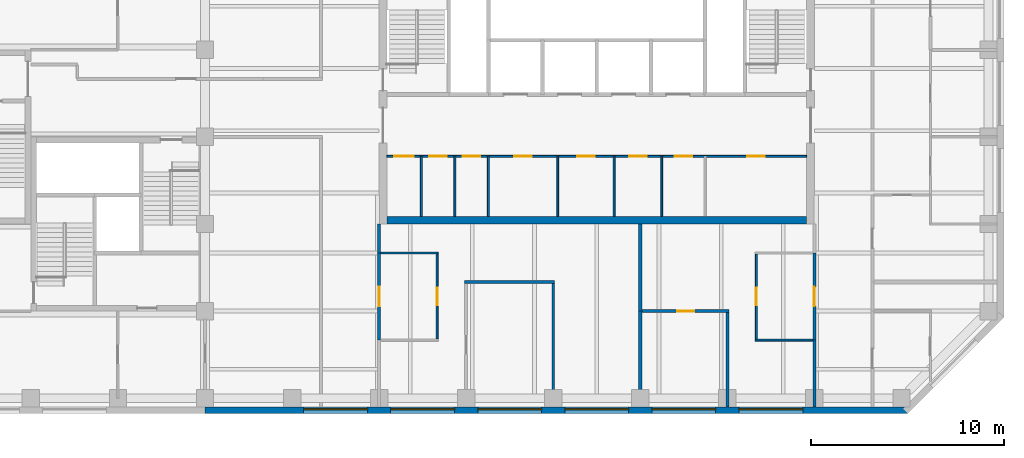
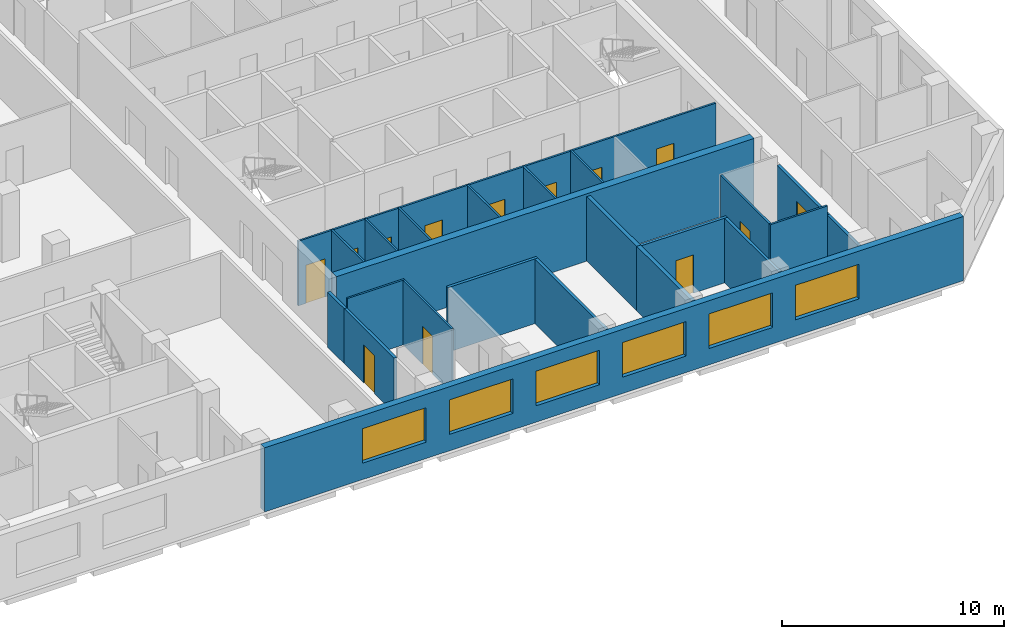
# One storey, part 4 of 9: 23 walls, 13 doors, 6 windows, 19 openings.
"""IFC4 building model written with IfcOpenShell, lengths in metres."""

from ifc_helpers import new_model, si_unit, direction, frame, frame_2d, origin, place, context, subcontext, project, spatial, rectangle, extrude, material, layer, layer_set, constituent, constituent_set, type_object, element, fill, save


model = new_model("IFC4")

# Units and contexts
model_context = context("Model", 3, precision=1e-05, world=origin(), true_north=direction((0.0, 1.0)))
body_context = subcontext(model_context, "Body", "Model", "MODEL_VIEW")
ifc_project = project(units=[si_unit("LENGTHUNIT", "METRE"), si_unit("AREAUNIT", "SQUARE_METRE"), si_unit("VOLUMEUNIT", "CUBIC_METRE"), si_unit("PLANEANGLEUNIT", "RADIAN"), si_unit("MASSUNIT", "GRAM", prefix="KILO")], contexts=[model_context])

# Site, building, storey
site_placement = place(None, origin())
site = spatial("IfcSite", under=ifc_project, at=site_placement, CompositionType="ELEMENT")
building_placement = place(site_placement, origin())
building = spatial("IfcBuilding", under=site, at=building_placement, Name="Quoin Convention Tower", CompositionType="ELEMENT")
storey_placement = place(building_placement, frame((0.0, 0.0, 166.199951171875)))
storey = spatial("IfcBuildingStorey", under=building, at=storey_placement, Name="L43", CompositionType="ELEMENT", Elevation=166.199951171875)

# Wall, opening, door
ifc_material_1 = material(Name="Plasterboard")
ifc_layer_1 = layer(ifc_material_1, 0.012451171875, Name="Finish")
ifc_material_2 = material(Name="Steel stud framing", Category="steel")
ifc_layer_2 = layer(ifc_material_2, 0.125, Name="Structure")
ifc_layer_3 = layer(ifc_material_1, 0.012451171875, Name="Finish")
ifc_layer_set_1 = layer_set([ifc_layer_1, ifc_layer_2, ifc_layer_3], Name="Steel stud framing")
wall_type_1 = type_object("IfcWallType", Name="Acoustic partition 150", PredefinedType="PARTITIONING", material=ifc_layer_set_1)
wall_1_placement = place(storey_placement, frame((58.60009765625, 45.0, 0.0), z_axis=(0.0, 0.0, 1.0), x_axis=(1.0, 0.0, 0.0)))
wall_1 = element("IfcWall", 1, at=wall_1_placement, inside=storey, type_object=wall_type_1, Name="pw-L43-005", PredefinedType="PARTITIONING", context=body_context, shape_type="SweptSolid", body=[
    extrude(rectangle(XDim=4.474853515625, YDim=0.14990234375, at=frame_2d((2.2373046875, 0.0))), origin(), (0.0, 0.0, 1.0), 3.550048828125),
])
opening_1_placement = place(wall_1_placement, frame((1.800048828125, 0.0, 0.0)))
opening_1 = element("IfcOpeningElement", 2, at=opening_1_placement, cuts=wall_1, Name="Opening DOH3-01", PredefinedType="OPENING", context=body_context, shape_type="SweptSolid", body=[
    extrude(rectangle(XDim=0.89990234375, YDim=2.10009765625, at=frame_2d((0.449951171875, 1.050048828125))), frame((0.0, 0.0849609375, 0.0), z_axis=(0.0, -1.0, 0.0), x_axis=(1.0, 0.0, 0.0)), (0.0, 0.0, 1.0), 0.169921875),
])
ifc_material_3 = material(Name="Steel door leaf", Category="steel")
door_type_1 = type_object("IfcDoorType", Name="Office door 900 x 2100", OperationType="SINGLE_SWING_RIGHT", PredefinedType="DOOR", material=ifc_material_3)
door_1_placement = place(opening_1_placement, origin())
door_1 = element("IfcDoor", 3, at=door_1_placement, inside=storey, type_object=door_type_1, Name="dr-L43-13", OperationType="SINGLE_SWING_RIGHT", OverallHeight=2.10009765625, OverallWidth=0.89990234375, PredefinedType="DOOR", context=body_context, shape_type="SweptSolid", body=[
    extrude(rectangle(XDim=0.89990234375, YDim=2.10009765625, at=frame_2d((0.449951171875, 1.050048828125))), frame((0.0, 0.02490234375, 0.0), z_axis=(0.0, -1.0, 0.0), x_axis=(1.0, 0.0, 0.0)), (0.0, 0.0, 1.0), 0.050048828125),
])
fill(opening_1, door_1)

# Walls
wall_2_placement = place(storey_placement, frame((49.425048828125, 46.5, 0.0), z_axis=(0.0, 0.0, 1.0), x_axis=(1.0, 0.0, 0.0)))
element("IfcWall", 4, at=wall_2_placement, inside=storey, type_object=wall_type_1, Name="pw-L43-008", PredefinedType="PARTITIONING", context=body_context, shape_type="SweptSolid", body=[
    extrude(rectangle(XDim=4.64990234375, YDim=0.14990234375, at=frame_2d((2.324951171875, 0.0))), origin(), (0.0, 0.0, 1.0), 3.550048828125),
])
wall_3_placement = place(storey_placement, frame((54.0, 40.050048828125, 0.0), z_axis=(0.0, 0.0, 1.0), x_axis=(0.0, 1.0, 0.0)))
element("IfcWall", 5, at=wall_3_placement, inside=storey, type_object=wall_type_1, Name="pw-L43-040", PredefinedType="PARTITIONING", context=body_context, shape_type="SweptSolid", body=[
    extrude(rectangle(XDim=6.375, YDim=0.14990234375, at=frame_2d((3.1875, 0.0))), origin(), (0.0, 0.0, 1.0), 3.550048828125),
])
wall_4_placement = place(storey_placement, frame((63.0, 40.050048828125, 0.0), z_axis=(0.0, 0.0, 1.0), x_axis=(0.0, 1.0, 0.0)))
element("IfcWall", 6, at=wall_4_placement, inside=storey, type_object=wall_type_1, Name="pw-L43-042", PredefinedType="PARTITIONING", context=body_context, shape_type="SweptSolid", body=[
    extrude(rectangle(XDim=4.875, YDim=0.14990234375, at=frame_2d((2.4375, 0.0))), origin(), (0.0, 0.0, 1.0), 3.550048828125),
])

# Wall, openings, windows
ifc_material_4 = material(Name="Brick masonry", Category="masonry")
ifc_layer_4 = layer(ifc_material_4, 0.35009765625)
ifc_layer_set_2 = layer_set([ifc_layer_4], Name="Brick masonry")
wall_type_2 = type_object("IfcWallType", Name="Brick facade wall", PredefinedType="STANDARD", material=ifc_layer_set_2)
wall_5_placement = place(storey_placement, frame((36.0, 39.875, 0.0), z_axis=(0.0, 0.0, 1.0), x_axis=(1.0, 0.0, 0.0)))
wall_5 = element("IfcWall", 7, at=wall_5_placement, inside=storey, type_object=wall_type_2, Name="fw-L43-36000_40500", PredefinedType="STANDARD", context=body_context, shape_type="SweptSolid", body=[
    extrude(rectangle(XDim=36.331298828125, YDim=0.35009765625, at=frame_2d((18.16552734375, 0.0))), origin(), (0.0, 0.0, 1.0), 3.525146484375),
])
opening_2_placement = place(wall_5_placement, frame((5.10009765625, 0.0, 0.89990234375)))
opening_2 = element("IfcOpeningElement", 8, at=opening_2_placement, cuts=wall_5, Name="Opening W-02", PredefinedType="OPENING", context=body_context, shape_type="SweptSolid", body=[
    extrude(rectangle(XDim=3.300048828125, YDim=1.89990234375, at=frame_2d((1.64990234375, 0.949951171875))), frame((0.0, 0.18505859375, 0.0), z_axis=(0.0, -1.0, 0.0), x_axis=(1.0, 0.0, 0.0)), (0.0, 0.0, 1.0), 0.3701171875),
])
opening_3_placement = place(wall_5_placement, frame((9.60009765625, 0.0, 0.89990234375)))
opening_3 = element("IfcOpeningElement", 9, at=opening_3_placement, cuts=wall_5, Name="Opening W-02", PredefinedType="OPENING", context=body_context, shape_type="SweptSolid", body=[
    extrude(rectangle(XDim=3.300048828125, YDim=1.89990234375, at=frame_2d((1.64990234375, 0.949951171875))), frame((0.0, 0.18505859375, 0.0), z_axis=(0.0, -1.0, 0.0), x_axis=(1.0, 0.0, 0.0)), (0.0, 0.0, 1.0), 0.3701171875),
])
opening_4_placement = place(wall_5_placement, frame((14.10009765625, 0.0, 0.89990234375)))
opening_4 = element("IfcOpeningElement", 10, at=opening_4_placement, cuts=wall_5, Name="Opening W-02", PredefinedType="OPENING", context=body_context, shape_type="SweptSolid", body=[
    extrude(rectangle(XDim=3.300048828125, YDim=1.89990234375, at=frame_2d((1.64990234375, 0.949951171875))), frame((0.0, 0.18505859375, 0.0), z_axis=(0.0, -1.0, 0.0), x_axis=(1.0, 0.0, 0.0)), (0.0, 0.0, 1.0), 0.3701171875),
])
opening_5_placement = place(wall_5_placement, frame((18.60009765625, 0.0, 0.89990234375)))
opening_5 = element("IfcOpeningElement", 11, at=opening_5_placement, cuts=wall_5, Name="Opening W-02", PredefinedType="OPENING", context=body_context, shape_type="SweptSolid", body=[
    extrude(rectangle(XDim=3.300048828125, YDim=1.89990234375, at=frame_2d((1.64990234375, 0.949951171875))), frame((0.0, 0.18505859375, 0.0), z_axis=(0.0, -1.0, 0.0), x_axis=(1.0, 0.0, 0.0)), (0.0, 0.0, 1.0), 0.3701171875),
])
opening_6_placement = place(wall_5_placement, frame((23.10009765625, 0.0, 0.89990234375)))
opening_6 = element("IfcOpeningElement", 12, at=opening_6_placement, cuts=wall_5, Name="Opening W-02", PredefinedType="OPENING", context=body_context, shape_type="SweptSolid", body=[
    extrude(rectangle(XDim=3.300048828125, YDim=1.89990234375, at=frame_2d((1.64990234375, 0.949951171875))), frame((0.0, 0.18505859375, 0.0), z_axis=(0.0, -1.0, 0.0), x_axis=(1.0, 0.0, 0.0)), (0.0, 0.0, 1.0), 0.3701171875),
])
opening_7_placement = place(wall_5_placement, frame((27.60009765625, 0.0, 0.89990234375)))
opening_7 = element("IfcOpeningElement", 13, at=opening_7_placement, cuts=wall_5, Name="Opening W-02", PredefinedType="OPENING", context=body_context, shape_type="SweptSolid", body=[
    extrude(rectangle(XDim=3.300048828125, YDim=1.89990234375, at=frame_2d((1.64990234375, 0.949951171875))), frame((0.0, 0.18505859375, 0.0), z_axis=(0.0, -1.0, 0.0), x_axis=(1.0, 0.0, 0.0)), (0.0, 0.0, 1.0), 0.3701171875),
])
ifc_material_5 = material(Name="Aluminium", Category="aluminium")
ifc_constituent_1 = constituent(ifc_material_5, Name="Frame")
ifc_material_6 = material(Name="Insulated glass", Category="glass")
ifc_constituent_2 = constituent(ifc_material_6, Name="Glazing")
ifc_constituent_set = constituent_set(constituents=[ifc_constituent_1, ifc_constituent_2], Name="Aluminium")
window_type = type_object("IfcWindowType", Name="Office window", PartitioningType="DOUBLE_PANEL_VERTICAL", PredefinedType="WINDOW", material=ifc_constituent_set)
window_1_placement = place(opening_2_placement, origin())
window_1 = element("IfcWindow", 14, at=window_1_placement, inside=storey, type_object=window_type, Name="win-L43-42750_39875", OverallHeight=1.89990234375, OverallWidth=3.300048828125, PartitioningType="SINGLE_PANEL", PredefinedType="WINDOW", context=body_context, shape_type="SweptSolid", body=[
    extrude(rectangle(XDim=3.300048828125, YDim=1.89990234375, at=frame_2d((1.64990234375, 0.949951171875))), frame((0.0, 0.0849609375, 0.0), z_axis=(0.0, -1.0, 0.0), x_axis=(1.0, 0.0, 0.0)), (0.0, 0.0, 1.0), 0.06005859375),
])
fill(opening_2, window_1)
window_2_placement = place(opening_3_placement, origin())
window_2 = element("IfcWindow", 15, at=window_2_placement, inside=storey, type_object=window_type, Name="win-L43-47250_39875", OverallHeight=1.89990234375, OverallWidth=3.300048828125, PartitioningType="SINGLE_PANEL", PredefinedType="WINDOW", context=body_context, shape_type="SweptSolid", body=[
    extrude(rectangle(XDim=3.300048828125, YDim=1.89990234375, at=frame_2d((1.64990234375, 0.949951171875))), frame((0.0, 0.0849609375, 0.0), z_axis=(0.0, -1.0, 0.0), x_axis=(1.0, 0.0, 0.0)), (0.0, 0.0, 1.0), 0.06005859375),
])
fill(opening_3, window_2)
window_3_placement = place(opening_4_placement, origin())
window_3 = element("IfcWindow", 16, at=window_3_placement, inside=storey, type_object=window_type, Name="win-L43-51750_39875", OverallHeight=1.89990234375, OverallWidth=3.300048828125, PartitioningType="SINGLE_PANEL", PredefinedType="WINDOW", context=body_context, shape_type="SweptSolid", body=[
    extrude(rectangle(XDim=3.300048828125, YDim=1.89990234375, at=frame_2d((1.64990234375, 0.949951171875))), frame((0.0, 0.0849609375, 0.0), z_axis=(0.0, -1.0, 0.0), x_axis=(1.0, 0.0, 0.0)), (0.0, 0.0, 1.0), 0.06005859375),
])
fill(opening_4, window_3)
window_4_placement = place(opening_5_placement, origin())
window_4 = element("IfcWindow", 17, at=window_4_placement, inside=storey, type_object=window_type, Name="win-L43-56250_39875", OverallHeight=1.89990234375, OverallWidth=3.300048828125, PartitioningType="SINGLE_PANEL", PredefinedType="WINDOW", context=body_context, shape_type="SweptSolid", body=[
    extrude(rectangle(XDim=3.300048828125, YDim=1.89990234375, at=frame_2d((1.64990234375, 0.949951171875))), frame((0.0, 0.0849609375, 0.0), z_axis=(0.0, -1.0, 0.0), x_axis=(1.0, 0.0, 0.0)), (0.0, 0.0, 1.0), 0.06005859375),
])
fill(opening_5, window_4)
window_5_placement = place(opening_6_placement, origin())
window_5 = element("IfcWindow", 18, at=window_5_placement, inside=storey, type_object=window_type, Name="win-L43-60750_39875", OverallHeight=1.89990234375, OverallWidth=3.300048828125, PartitioningType="SINGLE_PANEL", PredefinedType="WINDOW", context=body_context, shape_type="SweptSolid", body=[
    extrude(rectangle(XDim=3.300048828125, YDim=1.89990234375, at=frame_2d((1.64990234375, 0.949951171875))), frame((0.0, 0.0849609375, 0.0), z_axis=(0.0, -1.0, 0.0), x_axis=(1.0, 0.0, 0.0)), (0.0, 0.0, 1.0), 0.06005859375),
])
fill(opening_6, window_5)
window_6_placement = place(opening_7_placement, origin())
window_6 = element("IfcWindow", 19, at=window_6_placement, inside=storey, type_object=window_type, Name="win-L43-65250_39875", OverallHeight=1.89990234375, OverallWidth=3.300048828125, PartitioningType="SINGLE_PANEL", PredefinedType="WINDOW", context=body_context, shape_type="SweptSolid", body=[
    extrude(rectangle(XDim=3.300048828125, YDim=1.89990234375, at=frame_2d((1.64990234375, 0.949951171875))), frame((0.0, 0.0849609375, 0.0), z_axis=(0.0, -1.0, 0.0), x_axis=(1.0, 0.0, 0.0)), (0.0, 0.0, 1.0), 0.06005859375),
])
fill(opening_7, window_6)

# Wall, openings, doors
ifc_layer_5 = layer(ifc_material_1, 0.012451171875, Name="Finish")
ifc_layer_6 = layer(ifc_material_2, 0.074951171875, Name="Structure")
ifc_layer_7 = layer(ifc_material_1, 0.012451171875, Name="Finish")
ifc_layer_set_3 = layer_set([ifc_layer_5, ifc_layer_6, ifc_layer_7], Name="Steel stud framing")
wall_type_3 = type_object("IfcWallType", Name="Core partition wall", PredefinedType="PARTITIONING", material=ifc_layer_set_3)
wall_6_placement = place(storey_placement, frame((45.39990234375, 53.0, 0.0), z_axis=(0.0, 0.0, 1.0), x_axis=(1.0, 0.0, 0.0)))
wall_6 = element("IfcWall", 20, at=wall_6_placement, inside=storey, type_object=wall_type_3, Name="cr-C1-L43-h3500_400", PredefinedType="PARTITIONING", context=body_context, shape_type="SweptSolid", body=[
    extrude(rectangle(XDim=21.7001953125, YDim=0.10009765625, at=frame_2d((10.85009765625, 0.0))), origin(), (0.0, 0.0, 1.0), 3.550048828125),
])
opening_8_placement = place(wall_6_placement, frame((18.625, 0.0, 0.0)))
opening_8 = element("IfcOpeningElement", 21, at=opening_8_placement, cuts=wall_6, Name="Opening DCV3-30", PredefinedType="OPENING", context=body_context, shape_type="SweptSolid", body=[
    extrude(rectangle(XDim=0.89990234375, YDim=2.10009765625, at=frame_2d((0.449951171875, 1.050048828125))), frame((0.0, 0.06005859375, 0.0), z_axis=(0.0, -1.0, 0.0), x_axis=(1.0, 0.0, 0.0)), (0.0, 0.0, 1.0), 0.1201171875),
])
opening_9_placement = place(wall_6_placement, frame((0.392578125, 0.0, 0.0)))
opening_9 = element("IfcOpeningElement", 22, at=opening_9_placement, cuts=wall_6, Name="Opening DCV3-21", PredefinedType="OPENING", context=body_context, shape_type="SweptSolid", body=[
    extrude(rectangle(XDim=1.0, YDim=2.10009765625, at=frame_2d((0.5, 1.050048828125))), frame((0.0, 0.06005859375, 0.0), z_axis=(0.0, -1.0, 0.0), x_axis=(1.0, 0.0, 0.0)), (0.0, 0.0, 1.0), 0.1201171875),
])
opening_10_placement = place(wall_6_placement, frame((2.201416015625, 0.0, 0.0)))
opening_10 = element("IfcOpeningElement", 23, at=opening_10_placement, cuts=wall_6, Name="Opening DCV3-22", PredefinedType="OPENING", context=body_context, shape_type="SweptSolid", body=[
    extrude(rectangle(XDim=0.89990234375, YDim=2.10009765625, at=frame_2d((0.449951171875, 1.050048828125))), frame((0.0, 0.06005859375, 0.0), z_axis=(0.0, -1.0, 0.0), x_axis=(1.0, 0.0, 0.0)), (0.0, 0.0, 1.0), 0.1201171875),
])
opening_11_placement = place(wall_6_placement, frame((3.93359375, 0.0, 0.0)))
opening_11 = element("IfcOpeningElement", 24, at=opening_11_placement, cuts=wall_6, Name="Opening DCV3-23", PredefinedType="OPENING", context=body_context, shape_type="SweptSolid", body=[
    extrude(rectangle(XDim=0.89990234375, YDim=2.10009765625, at=frame_2d((0.449951171875, 1.050048828125))), frame((0.0, 0.06005859375, 0.0), z_axis=(0.0, -1.0, 0.0), x_axis=(1.0, 0.0, 0.0)), (0.0, 0.0, 1.0), 0.1201171875),
])
opening_12_placement = place(wall_6_placement, frame((6.592041015625, 0.0, 0.0)))
opening_12 = element("IfcOpeningElement", 25, at=opening_12_placement, cuts=wall_6, Name="Opening DCV3-24", PredefinedType="OPENING", context=body_context, shape_type="SweptSolid", body=[
    extrude(rectangle(XDim=0.89990234375, YDim=2.10009765625, at=frame_2d((0.449951171875, 1.050048828125))), frame((0.0, 0.06005859375, 0.0), z_axis=(0.0, -1.0, 0.0), x_axis=(1.0, 0.0, 0.0)), (0.0, 0.0, 1.0), 0.1201171875),
])
opening_13_placement = place(wall_6_placement, frame((9.840087890625, 0.0, 0.0)))
opening_13 = element("IfcOpeningElement", 26, at=opening_13_placement, cuts=wall_6, Name="Opening DCV3-26", PredefinedType="OPENING", context=body_context, shape_type="SweptSolid", body=[
    extrude(rectangle(XDim=0.89990234375, YDim=2.10009765625, at=frame_2d((0.449951171875, 1.050048828125))), frame((0.0, 0.06005859375, 0.0), z_axis=(0.0, -1.0, 0.0), x_axis=(1.0, 0.0, 0.0)), (0.0, 0.0, 1.0), 0.1201171875),
])
opening_14_placement = place(wall_6_placement, frame((12.528076171875, 0.0, 0.0)))
opening_14 = element("IfcOpeningElement", 27, at=opening_14_placement, cuts=wall_6, Name="Opening DCV3-27", PredefinedType="OPENING", context=body_context, shape_type="SweptSolid", body=[
    extrude(rectangle(XDim=0.89990234375, YDim=2.10009765625, at=frame_2d((0.449951171875, 1.050048828125))), frame((0.0, 0.06005859375, 0.0), z_axis=(0.0, -1.0, 0.0), x_axis=(1.0, 0.0, 0.0)), (0.0, 0.0, 1.0), 0.1201171875),
])
opening_15_placement = place(wall_6_placement, frame((14.8798828125, 0.0, 0.0)))
opening_15 = element("IfcOpeningElement", 28, at=opening_15_placement, cuts=wall_6, Name="Opening DCV3-29", PredefinedType="OPENING", context=body_context, shape_type="SweptSolid", body=[
    extrude(rectangle(XDim=0.89990234375, YDim=2.10009765625, at=frame_2d((0.449951171875, 1.050048828125))), frame((0.0, 0.06005859375, 0.0), z_axis=(0.0, -1.0, 0.0), x_axis=(1.0, 0.0, 0.0)), (0.0, 0.0, 1.0), 0.1201171875),
])
door_type_2 = type_object("IfcDoorType", Name="Core room door 1000 x 2100", OperationType="SINGLE_SWING_LEFT", PredefinedType="DOOR", material=ifc_material_3)
door_2_placement = place(opening_9_placement, frame((1.0, 0.0, 0.0), z_axis=(0.0, 0.0, 1.0), x_axis=(-1.0, 0.0, 0.0)))
door_2 = element("IfcDoor", 29, at=door_2_placement, inside=storey, type_object=door_type_2, Name="cd-C1-L43-CSW0-lobA-CD4312", OperationType="SINGLE_SWING_LEFT", OverallHeight=2.10009765625, OverallWidth=1.0, PredefinedType="DOOR", context=body_context, shape_type="SweptSolid", body=[
    extrude(rectangle(XDim=1.0, YDim=2.10009765625, at=frame_2d((0.5, 1.050048828125))), frame((0.0, 0.02490234375, 0.0), z_axis=(0.0, -1.0, 0.0), x_axis=(1.0, 0.0, 0.0)), (0.0, 0.0, 1.0), 0.050048828125),
])
fill(opening_9, door_2)
door_type_3 = type_object("IfcDoorType", Name="Core room door 900 x 2100", OperationType="SINGLE_SWING_LEFT", PredefinedType="DOOR", material=ifc_material_3)
door_3_placement = place(opening_8_placement, frame((0.89990234375, 0.0, 0.0), z_axis=(0.0, 0.0, 1.0), x_axis=(-1.0, 0.0, 0.0)))
door_3 = element("IfcDoor", 30, at=door_3_placement, inside=storey, type_object=door_type_3, Name="cd-C1-L43-CSE0-lobA-CD4311", OperationType="SINGLE_SWING_RIGHT", OverallHeight=2.10009765625, OverallWidth=0.89990234375, PredefinedType="DOOR", context=body_context, shape_type="SweptSolid", body=[
    extrude(rectangle(XDim=0.89990234375, YDim=2.10009765625, at=frame_2d((0.449951171875, 1.050048828125))), frame((0.0, 0.02490234375, 0.0), z_axis=(0.0, -1.0, 0.0), x_axis=(1.0, 0.0, 0.0)), (0.0, 0.0, 1.0), 0.050048828125),
])
fill(opening_8, door_3)
door_4_placement = place(opening_10_placement, frame((0.89990234375, 0.0, 0.0), z_axis=(0.0, 0.0, 1.0), x_axis=(-1.0, 0.0, 0.0)))
door_4 = element("IfcDoor", 31, at=door_4_placement, inside=storey, type_object=door_type_3, Name="cd-C1-L43-CSW1-lobA-CD4313", OperationType="SINGLE_SWING_LEFT", OverallHeight=2.10009765625, OverallWidth=0.89990234375, PredefinedType="DOOR", context=body_context, shape_type="SweptSolid", body=[
    extrude(rectangle(XDim=0.89990234375, YDim=2.10009765625, at=frame_2d((0.449951171875, 1.050048828125))), frame((0.0, 0.02490234375, 0.0), z_axis=(0.0, -1.0, 0.0), x_axis=(1.0, 0.0, 0.0)), (0.0, 0.0, 1.0), 0.050048828125),
])
fill(opening_10, door_4)
door_5_placement = place(opening_11_placement, frame((0.89990234375, 0.0, 0.0), z_axis=(0.0, 0.0, 1.0), x_axis=(-1.0, 0.0, 0.0)))
door_5 = element("IfcDoor", 32, at=door_5_placement, inside=storey, type_object=door_type_3, Name="cd-C1-L43-CSW2-lobA-CD4314", OperationType="SINGLE_SWING_LEFT", OverallHeight=2.10009765625, OverallWidth=0.89990234375, PredefinedType="DOOR", context=body_context, shape_type="SweptSolid", body=[
    extrude(rectangle(XDim=0.89990234375, YDim=2.10009765625, at=frame_2d((0.449951171875, 1.050048828125))), frame((0.0, 0.02490234375, 0.0), z_axis=(0.0, -1.0, 0.0), x_axis=(1.0, 0.0, 0.0)), (0.0, 0.0, 1.0), 0.050048828125),
])
fill(opening_11, door_5)
door_6_placement = place(opening_12_placement, frame((0.89990234375, 0.0, 0.0), z_axis=(0.0, 0.0, 1.0), x_axis=(-1.0, 0.0, 0.0)))
door_6 = element("IfcDoor", 33, at=door_6_placement, inside=storey, type_object=door_type_3, Name="cd-C1-L43-F10-lobA-CD4315", OperationType="SINGLE_SWING_LEFT", OverallHeight=2.10009765625, OverallWidth=0.89990234375, PredefinedType="DOOR", context=body_context, shape_type="SweptSolid", body=[
    extrude(rectangle(XDim=0.89990234375, YDim=2.10009765625, at=frame_2d((0.449951171875, 1.050048828125))), frame((0.0, 0.02490234375, 0.0), z_axis=(0.0, -1.0, 0.0), x_axis=(1.0, 0.0, 0.0)), (0.0, 0.0, 1.0), 0.050048828125),
])
fill(opening_12, door_6)
door_7_placement = place(opening_13_placement, frame((0.89990234375, 0.0, 0.0), z_axis=(0.0, 0.0, 1.0), x_axis=(-1.0, 0.0, 0.0)))
door_7 = element("IfcDoor", 34, at=door_7_placement, inside=storey, type_object=door_type_3, Name="cd-C1-L43-F11-lobA-CD4316", OperationType="SINGLE_SWING_LEFT", OverallHeight=2.10009765625, OverallWidth=0.89990234375, PredefinedType="DOOR", context=body_context, shape_type="SweptSolid", body=[
    extrude(rectangle(XDim=0.89990234375, YDim=2.10009765625, at=frame_2d((0.449951171875, 1.050048828125))), frame((0.0, 0.02490234375, 0.0), z_axis=(0.0, -1.0, 0.0), x_axis=(1.0, 0.0, 0.0)), (0.0, 0.0, 1.0), 0.050048828125),
])
fill(opening_13, door_7)
door_8_placement = place(opening_14_placement, frame((0.89990234375, 0.0, 0.0), z_axis=(0.0, 0.0, 1.0), x_axis=(-1.0, 0.0, 0.0)))
door_8 = element("IfcDoor", 35, at=door_8_placement, inside=storey, type_object=door_type_3, Name="cd-C1-L43-F12-lobA-CD4317", OperationType="SINGLE_SWING_LEFT", OverallHeight=2.10009765625, OverallWidth=0.89990234375, PredefinedType="DOOR", context=body_context, shape_type="SweptSolid", body=[
    extrude(rectangle(XDim=0.89990234375, YDim=2.10009765625, at=frame_2d((0.449951171875, 1.050048828125))), frame((0.0, 0.02490234375, 0.0), z_axis=(0.0, -1.0, 0.0), x_axis=(1.0, 0.0, 0.0)), (0.0, 0.0, 1.0), 0.050048828125),
])
fill(opening_14, door_8)
door_9_placement = place(opening_15_placement, frame((0.89990234375, 0.0, 0.0), z_axis=(0.0, 0.0, 1.0), x_axis=(-1.0, 0.0, 0.0)))
door_9 = element("IfcDoor", 36, at=door_9_placement, inside=storey, type_object=door_type_3, Name="cd-C1-L43-F13-lobA-CD4318", OperationType="SINGLE_SWING_LEFT", OverallHeight=2.10009765625, OverallWidth=0.89990234375, PredefinedType="DOOR", context=body_context, shape_type="SweptSolid", body=[
    extrude(rectangle(XDim=0.89990234375, YDim=2.10009765625, at=frame_2d((0.449951171875, 1.050048828125))), frame((0.0, 0.02490234375, 0.0), z_axis=(0.0, -1.0, 0.0), x_axis=(1.0, 0.0, 0.0)), (0.0, 0.0, 1.0), 0.050048828125),
])
fill(opening_15, door_9)

# Walls
for number, where, z_axis, x_axis, name in (
    (37, (47.18505859375, 49.89990234375, 0.0), (0.0, 0.0, 1.0), (0.0, 1.0, 0.0), "cr-C1-L43-v2185_400"),
    (38, (48.91748046875, 49.89990234375, 0.0), (0.0, 0.0, 1.0), (0.0, 1.0, 0.0), "cr-C1-L43-v3918_400"),
    (39, (50.64990234375, 49.89990234375, 0.0), (0.0, 0.0, 1.0), (0.0, 1.0, 0.0), "cr-C1-L43-v5650_400"),
    (40, (54.23388671875, 49.89990234375, 0.0), (0.0, 0.0, 1.0), (0.0, 1.0, 0.0), "cr-C1-L43-v9234_400"),
    (41, (57.14599609375, 49.89990234375, 0.0), (0.0, 0.0, 1.0), (0.0, 1.0, 0.0), "cr-C1-L43-v12146_400"),
    (42, (59.610107421875, 49.89990234375, 0.0), (0.0, 0.0, 1.0), (0.0, 1.0, 0.0), "cr-C1-L43-v14610_400"),
):
    element("IfcWall", number, at=place(storey_placement, frame(where, z_axis=z_axis, x_axis=x_axis)), inside=storey, type_object=wall_type_3, Name=name, PredefinedType="PARTITIONING", context=body_context, shape_type="SweptSolid", body=[
        extrude(rectangle(XDim=3.10009765625, YDim=0.10009765625, at=frame_2d((1.550048828125, 0.0))), origin(), (0.0, 0.0, 1.0), 3.550048828125),
    ])
ifc_layer_8 = layer(ifc_material_1, 0.012451171875, Name="Finish")
ifc_layer_9 = layer(ifc_material_2, 0.125, Name="Structure")
ifc_layer_10 = layer(ifc_material_1, 0.012451171875, Name="Finish")
ifc_layer_set_4 = layer_set([ifc_layer_8, ifc_layer_9, ifc_layer_10], Name="Steel stud framing")
wall_type_4 = type_object("IfcWallType", Name="Corridor wall 150 under beam 528", PredefinedType="PARTITIONING", material=ifc_layer_set_4)
wall_7_placement = place(storey_placement, frame((67.5, 40.050048828125, 0.0), z_axis=(0.0, 0.0, 1.0), x_axis=(0.0, 1.0, 0.0)))
element("IfcWall", 43, at=wall_7_placement, inside=storey, type_object=wall_type_4, Name="pw-L43-043", PredefinedType="PARTITIONING", context=body_context, shape_type="SweptSolid", body=[
    extrude(rectangle(XDim=3.449951171875, YDim=0.14990234375, at=frame_2d((1.72509765625, 0.0))), origin(), (0.0, 0.0, 1.0), 3.02197265625),
])

# Wall, opening, door
wall_8_placement = place(storey_placement, frame((45.0, 43.5, 0.0), z_axis=(0.0, 0.0, 1.0), x_axis=(0.0, 1.0, 0.0)))
wall_8 = element("IfcWall", 44, at=wall_8_placement, inside=storey, type_object=wall_type_4, Name="pw-L43-047", PredefinedType="PARTITIONING", context=body_context, shape_type="SweptSolid", body=[
    extrude(rectangle(XDim=4.5, YDim=0.14990234375, at=frame_2d((2.25, 0.0))), origin(), (0.0, 0.0, 1.0), 3.02197265625),
])
opening_16_placement = place(wall_8_placement, frame((1.75, 0.0, 0.0)))
opening_16 = element("IfcOpeningElement", 45, at=opening_16_placement, cuts=wall_8, Name="Opening DOH3-12", PredefinedType="OPENING", context=body_context, shape_type="SweptSolid", body=[
    extrude(rectangle(XDim=1.0, YDim=2.10009765625, at=frame_2d((0.5, 1.050048828125))), frame((0.0, 0.0849609375, 0.0), z_axis=(0.0, -1.0, 0.0), x_axis=(1.0, 0.0, 0.0)), (0.0, 0.0, 1.0), 0.169921875),
])
door_type_4 = type_object("IfcDoorType", Name="Tenancy entrance door 1000 x 2100", OperationType="DOUBLE_DOOR_SINGLE_SWING", PredefinedType="DOOR", material=ifc_material_3)
door_10_placement = place(opening_16_placement, frame((1.0, 0.0, 0.0), z_axis=(0.0, 0.0, 1.0), x_axis=(-1.0, 0.0, 0.0)))
door_10 = element("IfcDoor", 46, at=door_10_placement, inside=storey, type_object=door_type_4, Name="dr-L43-08", OperationType="DOUBLE_DOOR_SINGLE_SWING", OverallHeight=2.10009765625, OverallWidth=1.0, PredefinedType="DOOR", context=body_context, shape_type="SweptSolid", body=[
    extrude(rectangle(XDim=1.0, YDim=2.10009765625, at=frame_2d((0.5, 1.050048828125))), frame((0.0, 0.02490234375, 0.0), z_axis=(0.0, -1.0, 0.0), x_axis=(1.0, 0.0, 0.0)), (0.0, 0.0, 1.0), 0.050048828125),
])
fill(opening_16, door_10)

wall_9_placement = place(storey_placement, frame((67.5, 43.5, 0.0), z_axis=(0.0, 0.0, 1.0), x_axis=(0.0, 1.0, 0.0)))
wall_9 = element("IfcWall", 47, at=wall_9_placement, inside=storey, type_object=wall_type_4, Name="pw-L43-048", PredefinedType="PARTITIONING", context=body_context, shape_type="SweptSolid", body=[
    extrude(rectangle(XDim=4.5, YDim=0.14990234375, at=frame_2d((2.25, 0.0))), origin(), (0.0, 0.0, 1.0), 3.02197265625),
])
opening_17_placement = place(wall_9_placement, frame((1.75, 0.0, 0.0)))
opening_17 = element("IfcOpeningElement", 48, at=opening_17_placement, cuts=wall_9, Name="Opening DOH3-13", PredefinedType="OPENING", context=body_context, shape_type="SweptSolid", body=[
    extrude(rectangle(XDim=1.0, YDim=2.10009765625, at=frame_2d((0.5, 1.050048828125))), frame((0.0, 0.0849609375, 0.0), z_axis=(0.0, -1.0, 0.0), x_axis=(1.0, 0.0, 0.0)), (0.0, 0.0, 1.0), 0.169921875),
])
door_11_placement = place(opening_17_placement, origin())
door_11 = element("IfcDoor", 49, at=door_11_placement, inside=storey, type_object=door_type_4, Name="dr-L43-11", OperationType="DOUBLE_DOOR_SINGLE_SWING", OverallHeight=2.10009765625, OverallWidth=1.0, PredefinedType="DOOR", context=body_context, shape_type="SweptSolid", body=[
    extrude(rectangle(XDim=1.0, YDim=2.10009765625, at=frame_2d((0.5, 1.050048828125))), frame((0.0, 0.02490234375, 0.0), z_axis=(0.0, -1.0, 0.0), x_axis=(1.0, 0.0, 0.0)), (0.0, 0.0, 1.0), 0.050048828125),
])
fill(opening_17, door_11)

# Walls
wall_10_placement = place(storey_placement, frame((45.0, 48.0, 0.0), z_axis=(0.0, 0.0, 1.0), x_axis=(0.0, 1.0, 0.0)))
element("IfcWall", 50, at=wall_10_placement, inside=storey, type_object=wall_type_4, Name="pw-L43-058", PredefinedType="PARTITIONING", context=body_context, shape_type="SweptSolid", body=[
    extrude(rectangle(XDim=1.5, YDim=0.14990234375, at=frame_2d((0.75, 0.0))), origin(), (0.0, 0.0, 1.0), 3.02197265625),
])
ifc_material_7 = material(Name="Concrete C50", Category="concrete")
ifc_layer_11 = layer(ifc_material_7, 0.39990234375)
ifc_layer_set_5 = layer_set([ifc_layer_11], Name="Concrete C50")
wall_type_5 = type_object("IfcWallType", Name="RC CORE WALL 400 C50", PredefinedType="SHEAR", material=ifc_layer_set_5)
wall_11_placement = place(storey_placement, frame((45.39990234375, 49.699951171875, 0.0), z_axis=(0.0, 0.0, 1.0), x_axis=(1.0, 0.0, 0.0)))
element("IfcWall", 51, at=wall_11_placement, inside=storey, type_object=wall_type_5, Name="cwl-C1-L43-S", PredefinedType="SHEAR", context=body_context, shape_type="SweptSolid", body=[
    extrude(rectangle(XDim=21.7001953125, YDim=0.39990234375, at=frame_2d((10.85009765625, 0.0))), origin(), (0.0, 0.0, 1.0), 3.699951171875),
])
ifc_layer_12 = layer(ifc_material_1, 0.012451171875, Name="Finish")
ifc_layer_13 = layer(ifc_material_2, 0.074951171875, Name="Structure")
ifc_layer_14 = layer(ifc_material_1, 0.012451171875, Name="Finish")
ifc_layer_set_6 = layer_set([ifc_layer_12, ifc_layer_13, ifc_layer_14], Name="Steel stud framing")
wall_type_6 = type_object("IfcWallType", Name="Stud partition 100", PredefinedType="PARTITIONING", material=ifc_layer_set_6)
for number, where, z_axis, x_axis, name in (
    (52, (64.449951171875, 43.5, 0.0), (0.0, 0.0, 1.0), (1.0, 0.0, 0.0), "pw-L43-002"),
    (53, (45.074951171875, 48.0, 0.0), (0.0, 0.0, 1.0), (1.0, 0.0, 0.0), "pw-L43-010"),
):
    element("IfcWall", number, at=place(storey_placement, frame(where, z_axis=z_axis, x_axis=x_axis)), inside=storey, type_object=wall_type_6, Name=name, PredefinedType="PARTITIONING", context=body_context, shape_type="SweptSolid", body=[
        extrude(rectangle(XDim=2.97509765625, YDim=0.10009765625, at=frame_2d((1.487548828125, 0.0))), origin(), (0.0, 0.0, 1.0), 3.550048828125),
    ])

# Wall, opening, door
wall_12_placement = place(storey_placement, frame((48.0, 43.550048828125, 0.0), z_axis=(0.0, 0.0, 1.0), x_axis=(0.0, 1.0, 0.0)))
wall_12 = element("IfcWall", 54, at=wall_12_placement, inside=storey, type_object=wall_type_6, Name="pw-L43-049", PredefinedType="PARTITIONING", context=body_context, shape_type="SweptSolid", body=[
    extrude(rectangle(XDim=4.39990234375, YDim=0.10009765625, at=frame_2d((2.199951171875, 0.0))), origin(), (0.0, 0.0, 1.0), 3.550048828125),
])
opening_18_placement = place(wall_12_placement, frame((1.75, 0.0, 0.0)))
opening_18 = element("IfcOpeningElement", 55, at=opening_18_placement, cuts=wall_12, Name="Opening DOH3-14", PredefinedType="OPENING", context=body_context, shape_type="SweptSolid", body=[
    extrude(rectangle(XDim=0.89990234375, YDim=2.10009765625, at=frame_2d((0.449951171875, 1.050048828125))), frame((0.0, 0.06005859375, 0.0), z_axis=(0.0, -1.0, 0.0), x_axis=(1.0, 0.0, 0.0)), (0.0, 0.0, 1.0), 0.1201171875),
])
door_12_placement = place(opening_18_placement, frame((0.89990234375, 0.0, 0.0), z_axis=(0.0, 0.0, 1.0), x_axis=(-1.0, 0.0, 0.0)))
door_12 = element("IfcDoor", 56, at=door_12_placement, inside=storey, type_object=door_type_1, Name="dr-L43-09", OperationType="SINGLE_SWING_LEFT", OverallHeight=2.10009765625, OverallWidth=0.89990234375, PredefinedType="DOOR", context=body_context, shape_type="SweptSolid", body=[
    extrude(rectangle(XDim=0.89990234375, YDim=2.10009765625, at=frame_2d((0.449951171875, 1.050048828125))), frame((0.0, 0.02490234375, 0.0), z_axis=(0.0, -1.0, 0.0), x_axis=(1.0, 0.0, 0.0)), (0.0, 0.0, 1.0), 0.050048828125),
])
fill(opening_18, door_12)

wall_13_placement = place(storey_placement, frame((64.5, 43.550048828125, 0.0), z_axis=(0.0, 0.0, 1.0), x_axis=(0.0, 1.0, 0.0)))
wall_13 = element("IfcWall", 57, at=wall_13_placement, inside=storey, type_object=wall_type_6, Name="pw-L43-050", PredefinedType="PARTITIONING", context=body_context, shape_type="SweptSolid", body=[
    extrude(rectangle(XDim=4.39990234375, YDim=0.10009765625, at=frame_2d((2.199951171875, 0.0))), origin(), (0.0, 0.0, 1.0), 3.550048828125),
])
opening_19_placement = place(wall_13_placement, frame((1.75, 0.0, 0.0)))
opening_19 = element("IfcOpeningElement", 58, at=opening_19_placement, cuts=wall_13, Name="Opening DOH3-15", PredefinedType="OPENING", context=body_context, shape_type="SweptSolid", body=[
    extrude(rectangle(XDim=0.89990234375, YDim=2.10009765625, at=frame_2d((0.449951171875, 1.050048828125))), frame((0.0, 0.06005859375, 0.0), z_axis=(0.0, -1.0, 0.0), x_axis=(1.0, 0.0, 0.0)), (0.0, 0.0, 1.0), 0.1201171875),
])
door_13_placement = place(opening_19_placement, origin())
door_13 = element("IfcDoor", 59, at=door_13_placement, inside=storey, type_object=door_type_1, Name="dr-L43-12", OperationType="SINGLE_SWING_RIGHT", OverallHeight=2.10009765625, OverallWidth=0.89990234375, PredefinedType="DOOR", context=body_context, shape_type="SweptSolid", body=[
    extrude(rectangle(XDim=0.89990234375, YDim=2.10009765625, at=frame_2d((0.449951171875, 1.050048828125))), frame((0.0, 0.02490234375, 0.0), z_axis=(0.0, -1.0, 0.0), x_axis=(1.0, 0.0, 0.0)), (0.0, 0.0, 1.0), 0.050048828125),
])
fill(opening_19, door_13)

# Walls
ifc_layer_15 = layer(ifc_material_1, 0.012451171875, Name="Finish")
ifc_layer_16 = layer(ifc_material_2, 0.175048828125, Name="Structure")
ifc_layer_17 = layer(ifc_material_1, 0.012451171875, Name="Finish")
ifc_layer_set_7 = layer_set([ifc_layer_15, ifc_layer_16, ifc_layer_17], Name="Steel stud framing")
wall_type_7 = type_object("IfcWallType", Name="Tenancy demising wall 200", PredefinedType="PARTITIONING", material=ifc_layer_set_7)
wall_14_placement = place(storey_placement, frame((58.5, 40.050048828125, 0.0), z_axis=(0.0, 0.0, 1.0), x_axis=(0.0, 1.0, 0.0)))
element("IfcWall", 60, at=wall_14_placement, inside=storey, type_object=wall_type_7, Name="pw-L43-041", PredefinedType="PARTITIONING", context=body_context, shape_type="SweptSolid", body=[
    extrude(rectangle(XDim=4.949951171875, YDim=0.199951171875, at=frame_2d((2.47509765625, 0.0))), origin(), (0.0, 0.0, 1.0), 3.550048828125),
])
wall_15_placement = place(storey_placement, frame((58.5, 45.0, 0.0), z_axis=(0.0, 0.0, 1.0), x_axis=(0.0, 1.0, 0.0)))
element("IfcWall", 61, at=wall_15_placement, inside=storey, type_object=wall_type_7, Name="pw-L43-052", PredefinedType="PARTITIONING", context=body_context, shape_type="SweptSolid", body=[
    extrude(rectangle(XDim=4.5, YDim=0.199951171875, at=frame_2d((2.25, 0.0))), origin(), (0.0, 0.0, 1.0), 3.550048828125),
])

save(model, "model.ifc")
